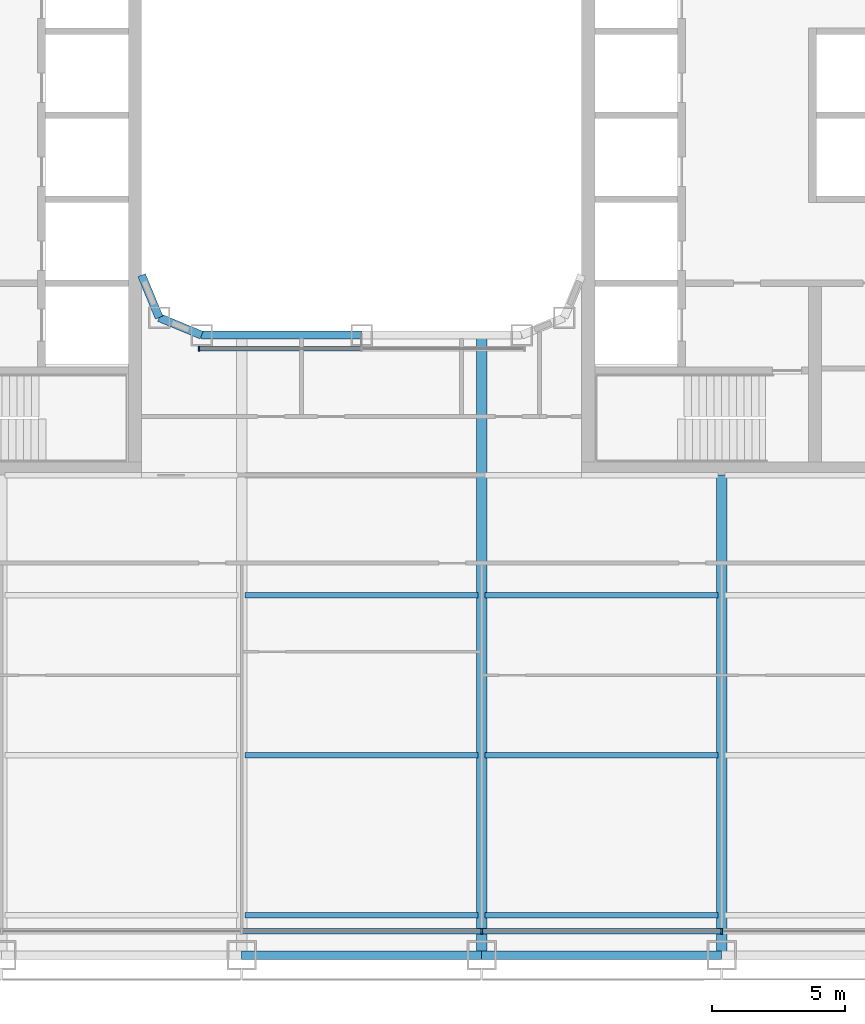
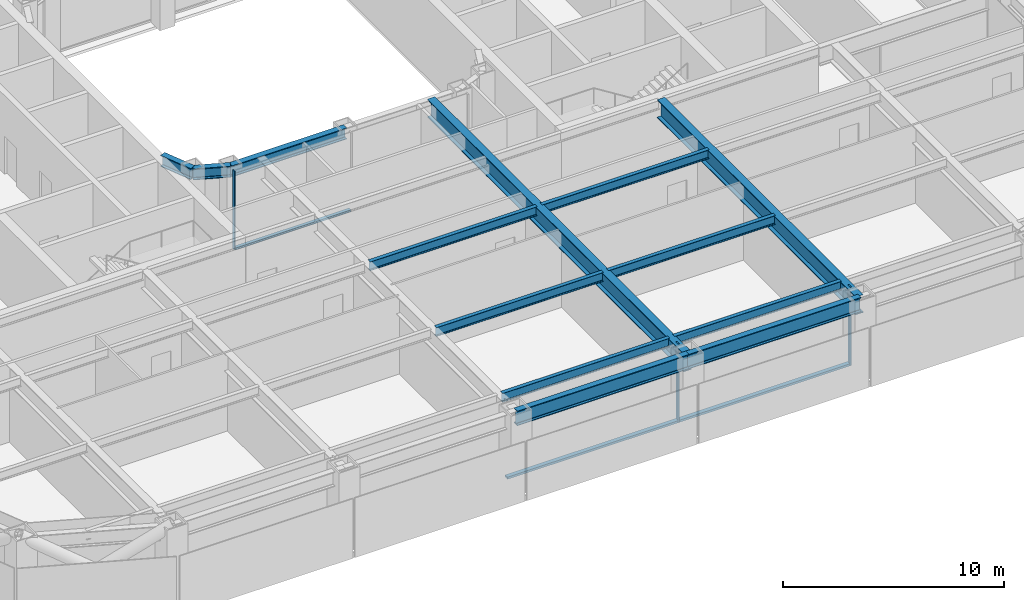
# One storey, part 3 of 24: 13 beams, 6 members, 2 elements without a shape of their own.
"""IFC4 building model written with IfcOpenShell, lengths in metres."""

from ifc_helpers import new_model, si_unit, direction, frame, origin, origin_2d, place, context, subcontext, project, spatial, rectangle, i_section, extrude, material, layer, layer_set, material_profile, profile_set, type_object, element, aggregate, save


model = new_model("IFC4")

# Units and contexts
model_context = context("Model", 3, precision=1e-05, world=origin(), true_north=direction((0.0, 1.0)))
body_context = subcontext(model_context, "Body", "Model", "MODEL_VIEW")
ifc_project = project(units=[si_unit("LENGTHUNIT", "METRE"), si_unit("AREAUNIT", "SQUARE_METRE"), si_unit("VOLUMEUNIT", "CUBIC_METRE"), si_unit("PLANEANGLEUNIT", "RADIAN"), si_unit("MASSUNIT", "GRAM", prefix="KILO")], contexts=[model_context])

# Site, building, storey
site_placement = place(None, origin())
site = spatial("IfcSite", under=ifc_project, at=site_placement, CompositionType="ELEMENT")
building_placement = place(site_placement, origin())
building = spatial("IfcBuilding", under=site, at=building_placement, Name="Siwar Civic Tower", CompositionType="ELEMENT")
storey_placement = place(building_placement, frame((0.0, 0.0, 40.199951171875)))
storey = spatial("IfcBuildingStorey", under=building, at=storey_placement, Name="L08", CompositionType="ELEMENT", Elevation=40.199951171875)

# Curtain wall, members
ifc_material_1 = material(Name="Aluminium and glass", Category="aluminium")
ifc_layer_1 = layer(ifc_material_1, 0.219970703125)
ifc_layer_set_1 = layer_set([ifc_layer_1], Name="Aluminium and glass")
curtain_wall_type_1 = type_object("IfcCurtainWallType", Name="ENV-CW-A", PredefinedType="NOTDEFINED", material=ifc_layer_set_1)
curtain_wall_1_placement = place(storey_placement, origin())
curtain_wall_1 = element("IfcCurtainWall", 1, at=curtain_wall_1_placement, inside=storey, type_object=curtain_wall_type_1, Name="Curtain wall A S", PredefinedType="NOTDEFINED")
ifc_material_2 = material(Name="Aluminium 6063-T6", Category="aluminium")
ifc_material_profile_1 = material_profile(ifc_material_2, rectangle(XDim=0.219970703125, YDim=0.070068359375, at=origin_2d()), Name="AL 220x70")
ifc_profile_set_1 = profile_set([ifc_material_profile_1], Name="Aluminium 6063-T6")
member_type_1 = type_object("IfcMemberType", Name="ENV-MULLION-A", PredefinedType="MULLION", material=ifc_profile_set_1)
member_1_placement = place(storey_placement, frame((4.5, -30.60009765625, 0.0), z_axis=(0.0, 0.0, 1.0), x_axis=(0.0, 1.0, 0.0)))
member_1 = element("IfcMember", 2, at=member_1_placement, type_object=member_type_1, Name="Mullion A S 4", PredefinedType="MULLION", context=body_context, shape_type="SweptSolid", body=[
    extrude(rectangle(XDim=0.219970703125, YDim=0.070068359375, at=origin_2d()), origin(), (0.0, 0.0, 1.0), 4.35009765625),
])
member_2_placement = place(storey_placement, frame((13.5, -30.60009765625, 0.0), z_axis=(0.0, 0.0, 1.0), x_axis=(0.0, 1.0, 0.0)))
member_2 = element("IfcMember", 3, at=member_2_placement, type_object=member_type_1, Name="Mullion A S 5", PredefinedType="MULLION", context=body_context, shape_type="SweptSolid", body=[
    extrude(rectangle(XDim=0.219970703125, YDim=0.070068359375, at=origin_2d()), origin(), (0.0, 0.0, 1.0), 4.35009765625),
])

# Curtain wall, member
ifc_material_3 = material(Name="Aluminium and glass", Category="aluminium")
ifc_layer_2 = layer(ifc_material_3, 0.179931640625)
ifc_layer_set_2 = layer_set([ifc_layer_2], Name="Aluminium and glass")
curtain_wall_type_2 = type_object("IfcCurtainWallType", Name="ENV-CW-W", PredefinedType="NOTDEFINED", material=ifc_layer_set_2)
curtain_wall_2_placement = place(storey_placement, origin())
curtain_wall_2 = element("IfcCurtainWall", 4, at=curtain_wall_2_placement, inside=storey, type_object=curtain_wall_type_2, Name="Curtain wall W WS", PredefinedType="NOTDEFINED")
ifc_material_4 = material(Name="Aluminium 6063-T6", Category="aluminium")
ifc_material_profile_2 = material_profile(ifc_material_4, rectangle(XDim=0.179931640625, YDim=0.06005859375, at=origin_2d()), Name="AL 180x60")
ifc_profile_set_2 = profile_set([ifc_material_profile_2], Name="Aluminium 6063-T6")
member_type_2 = type_object("IfcMemberType", Name="ENV-MULLION-W", PredefinedType="MULLION", material=ifc_profile_set_2)
member_3_placement = place(storey_placement, frame((-6.1015625, -8.760009765625, 0.0), z_axis=(0.0, 0.0, 1.0), x_axis=(0.0, 1.0, 0.0)))
member_3 = element("IfcMember", 5, at=member_3_placement, type_object=member_type_2, Name="Mullion W WS 1", PredefinedType="MULLION", context=body_context, shape_type="SweptSolid", body=[
    extrude(rectangle(XDim=0.179931640625, YDim=0.06005859375, at=origin_2d()), origin(), (0.0, 0.0, 1.0), 4.35009765625),
])

# Member
ifc_material_5 = material(Name="Aluminium 6063-T6", Category="aluminium")
ifc_material_profile_3 = material_profile(ifc_material_5, rectangle(XDim=0.219970703125, YDim=0.1201171875, at=origin_2d()), Name="AL 220x120")
ifc_profile_set_3 = profile_set([ifc_material_profile_3], Name="Aluminium 6063-T6")
member_type_3 = type_object("IfcMemberType", Name="ENV-TRANSOM-A", PredefinedType="USERDEFINED", material=ifc_profile_set_3)
member_4_placement = place(storey_placement, frame((-4.465087890625, -30.60009765625, 0.06005859375), z_axis=(1.0, 0.0, 0.0), x_axis=(0.0, 1.0, 0.0)))
member_4 = element("IfcMember", 6, at=member_4_placement, type_object=member_type_3, Name="Transom A S 3", ObjectType="TRANSOM", PredefinedType="USERDEFINED", context=body_context, shape_type="SweptSolid", body=[
    extrude(rectangle(XDim=0.219970703125, YDim=0.1201171875, at=origin_2d()), origin(), (0.0, 0.0, 1.0), 8.93017578125),
])

member_5_placement = place(storey_placement, frame((4.534912109375, -30.60009765625, 0.06005859375), z_axis=(1.0, 0.0, 0.0), x_axis=(0.0, 1.0, 0.0)))
member_5 = element("IfcMember", 7, at=member_5_placement, type_object=member_type_3, Name="Transom A S 4", ObjectType="TRANSOM", PredefinedType="USERDEFINED", context=body_context, shape_type="SweptSolid", body=[
    extrude(rectangle(XDim=0.219970703125, YDim=0.1201171875, at=origin_2d()), origin(), (0.0, 0.0, 1.0), 8.93017578125),
])

aggregate(curtain_wall_1, [member_1, member_2, member_4, member_5])

ifc_material_6 = material(Name="Aluminium 6063-T6", Category="aluminium")
ifc_material_profile_4 = material_profile(ifc_material_6, rectangle(XDim=0.179931640625, YDim=0.10009765625, at=origin_2d()), Name="AL 180x100")
ifc_profile_set_4 = profile_set([ifc_material_profile_4], Name="Aluminium 6063-T6")
member_type_4 = type_object("IfcMemberType", Name="ENV-TRANSOM-W", PredefinedType="USERDEFINED", material=ifc_profile_set_4)
member_6_placement = place(storey_placement, frame((-6.071533203125, -8.760009765625, 0.050048828125), z_axis=(1.0, 0.0, 0.0), x_axis=(0.0, 1.0, 0.0)))
member_6 = element("IfcMember", 8, at=member_6_placement, type_object=member_type_4, Name="Transom W WS 1", ObjectType="TRANSOM", PredefinedType="USERDEFINED", context=body_context, shape_type="SweptSolid", body=[
    extrude(rectangle(XDim=0.179931640625, YDim=0.10009765625, at=origin_2d()), origin(), (0.0, 0.0, 1.0), 6.04150390625),
])

aggregate(curtain_wall_2, [member_3, member_6])

# Beams
ifc_material_7 = material(Name="Steel S355", Category="steel")
ifc_material_profile_5 = material_profile(ifc_material_7, i_section(OverallWidth=0.199951171875, OverallDepth=0.5, WebThickness=0.01025390625, FlangeThickness=0.01611328125, FilletRadius=0.02099609375, at=origin_2d()), Name="IPE500")
ifc_profile_set_5 = profile_set([ifc_material_profile_5], Name="Steel S355")
beam_type_1 = type_object("IfcBeamType", Name="STR-FB-IPE500", PredefinedType="JOIST", material=ifc_profile_set_5)
for number, where, z_axis, x_axis, name in (
    (9, (-4.3701171875, -30.0, 4.10009765625), (1.0, 0.0, 0.0), (0.0, 1.0, 0.0), "L08/bm/F004"),
    (10, (4.6298828125, -30.0, 4.10009765625), (1.0, 0.0, 0.0), (0.0, 1.0, 0.0), "L08/bm/F005"),
    (11, (-4.3701171875, -24.0, 4.10009765625), (1.0, 0.0, 0.0), (0.0, 1.0, 0.0), "L08/bm/F011"),
    (12, (4.6298828125, -24.0, 4.10009765625), (1.0, 0.0, 0.0), (0.0, 1.0, 0.0), "L08/bm/F012"),
    (13, (-4.3701171875, -18.0, 4.10009765625), (1.0, 0.0, 0.0), (0.0, 1.0, 0.0), "L08/bm/F018"),
    (14, (4.6298828125, -18.0, 4.10009765625), (1.0, 0.0, 0.0), (0.0, 1.0, 0.0), "L08/bm/F019"),
):
    element("IfcBeam", number, at=place(storey_placement, frame(where, z_axis=z_axis, x_axis=x_axis)), inside=storey, type_object=beam_type_1, Name=name, PredefinedType="JOIST", context=body_context, shape_type="SweptSolid", body=[
        extrude(i_section(OverallWidth=0.199951171875, OverallDepth=0.5, WebThickness=0.01025390625, FlangeThickness=0.01611328125, FilletRadius=0.02099609375, at=origin_2d()), origin(), (0.0, 0.0, 1.0), 8.740234375),
    ])
ifc_material_8 = material(Name="Steel S355", Category="steel")
ifc_material_profile_6 = material_profile(ifc_material_8, i_section(OverallWidth=0.39990234375, OverallDepth=1.0, WebThickness=0.01611328125, FlangeThickness=0.0400390625, at=origin_2d()), Name="PG1000x400x16x40")
ifc_profile_set_6 = profile_set([ifc_material_profile_6], Name="Steel S355")
beam_type_2 = type_object("IfcBeamType", Name="STR-PG-PG1000x400x16x40", PredefinedType="BEAM", material=ifc_profile_set_6)
beam_1_placement = place(storey_placement, frame((4.5, -31.5, 3.85009765625), z_axis=(0.0, 1.0, 0.0), x_axis=(-1.0, 0.0, 0.0)))
element("IfcBeam", 15, at=beam_1_placement, inside=storey, type_object=beam_type_2, Name="L08/bm/G07", PredefinedType="BEAM", context=body_context, shape_type="SweptSolid", body=[
    extrude(i_section(OverallWidth=0.39990234375, OverallDepth=1.0, WebThickness=0.01611328125, FlangeThickness=0.0400390625, at=origin_2d()), origin(), (0.0, 0.0, 1.0), 23.25),
])
beam_2_placement = place(storey_placement, frame((13.5, -31.5, 3.85009765625), z_axis=(0.0, 1.0, 0.0), x_axis=(-1.0, 0.0, 0.0)))
element("IfcBeam", 16, at=beam_2_placement, inside=storey, type_object=beam_type_2, Name="L08/bm/G09", PredefinedType="BEAM", context=body_context, shape_type="SweptSolid", body=[
    extrude(i_section(OverallWidth=0.39990234375, OverallDepth=1.0, WebThickness=0.01611328125, FlangeThickness=0.0400390625, at=origin_2d()), origin(), (0.0, 0.0, 1.0), 18.0),
])
ifc_material_9 = material(Name="Steel S355", Category="steel")
ifc_material_profile_7 = material_profile(ifc_material_9, i_section(OverallWidth=0.304931640625, OverallDepth=0.6201171875, WebThickness=0.02099609375, FlangeThickness=0.0400390625, FilletRadius=0.027099609375, at=origin_2d()), Name="HEM600")
ifc_profile_set_7 = profile_set([ifc_material_profile_7], Name="Steel S355")
beam_type_3 = type_object("IfcBeamType", Name="STR-RB-HEM600", PredefinedType="BEAM", material=ifc_profile_set_7)
beam_3_placement = place(storey_placement, frame((-7.591064453125, -7.591064453125, 4.0400390625), z_axis=(0.923901072997, -0.382631424892, 0.0), x_axis=(0.382631424892, 0.923901072997, 0.0)))
element("IfcBeam", 17, at=beam_3_placement, inside=storey, type_object=beam_type_3, Name="L08/bm/RS0", PredefinedType="BEAM", context=body_context, shape_type="SweptSolid", body=[
    extrude(i_section(OverallWidth=0.304931640625, OverallDepth=0.6201171875, WebThickness=0.02099609375, FlangeThickness=0.0400390625, FilletRadius=0.027099609375, at=origin_2d()), origin(), (0.0, 0.0, 1.0), 1.72216796875),
])
beam_4_placement = place(storey_placement, frame((-6.0, -8.25, 4.0400390625), z_axis=(1.0, 0.0, 0.0), x_axis=(0.0, 1.0, 0.0)))
element("IfcBeam", 18, at=beam_4_placement, inside=storey, type_object=beam_type_3, Name="L08/bm/RS1", PredefinedType="BEAM", context=body_context, shape_type="SweptSolid", body=[
    extrude(i_section(OverallWidth=0.304931640625, OverallDepth=0.6201171875, WebThickness=0.02099609375, FlangeThickness=0.0400390625, FilletRadius=0.027099609375, at=origin_2d()), origin(), (0.0, 0.0, 1.0), 6.0),
])
beam_5_placement = place(storey_placement, frame((-7.591064453125, -7.591064453125, 4.0400390625), z_axis=(-0.382631424892, 0.923901072997, 0.0), x_axis=(-0.923901072997, -0.382631424892, 0.0)))
element("IfcBeam", 19, at=beam_5_placement, inside=storey, type_object=beam_type_3, Name="L08/bm/RSEW", PredefinedType="BEAM", context=body_context, shape_type="SweptSolid", body=[
    extrude(i_section(OverallWidth=0.304931640625, OverallDepth=0.6201171875, WebThickness=0.02099609375, FlangeThickness=0.0400390625, FilletRadius=0.027099609375, at=origin_2d()), origin(), (0.0, 0.0, 1.0), 1.72216796875),
])
ifc_material_10 = material(Name="Steel S355", Category="steel")
ifc_material_profile_8 = material_profile(ifc_material_10, i_section(OverallWidth=0.302978515625, OverallDepth=0.81396484375, WebThickness=0.02099609375, FlangeThickness=0.0400390625, FilletRadius=0.030029296875, at=origin_2d()), Name="HEM800")
ifc_profile_set_8 = profile_set([ifc_material_profile_8], Name="Steel S355")
beam_type_4 = type_object("IfcBeamType", Name="STR-SB-HEM800", PredefinedType="BEAM", material=ifc_profile_set_8)
for number, where, z_axis, x_axis, name in (
    (20, (-4.5, -31.5, 3.943115234375), (1.0, 0.0, 0.0), (0.0, 1.0, 0.0), "L08/bm/SS-2"),
    (21, (4.5, -31.5, 3.943115234375), (1.0, 0.0, 0.0), (0.0, 1.0, 0.0), "L08/bm/SS-3"),
):
    element("IfcBeam", number, at=place(storey_placement, frame(where, z_axis=z_axis, x_axis=x_axis)), inside=storey, type_object=beam_type_4, Name=name, PredefinedType="BEAM", context=body_context, shape_type="SweptSolid", body=[
        extrude(i_section(OverallWidth=0.302978515625, OverallDepth=0.81396484375, WebThickness=0.02099609375, FlangeThickness=0.0400390625, FilletRadius=0.030029296875, at=origin_2d()), origin(), (0.0, 0.0, 1.0), 9.0),
    ])

save(model, "model.ifc")
